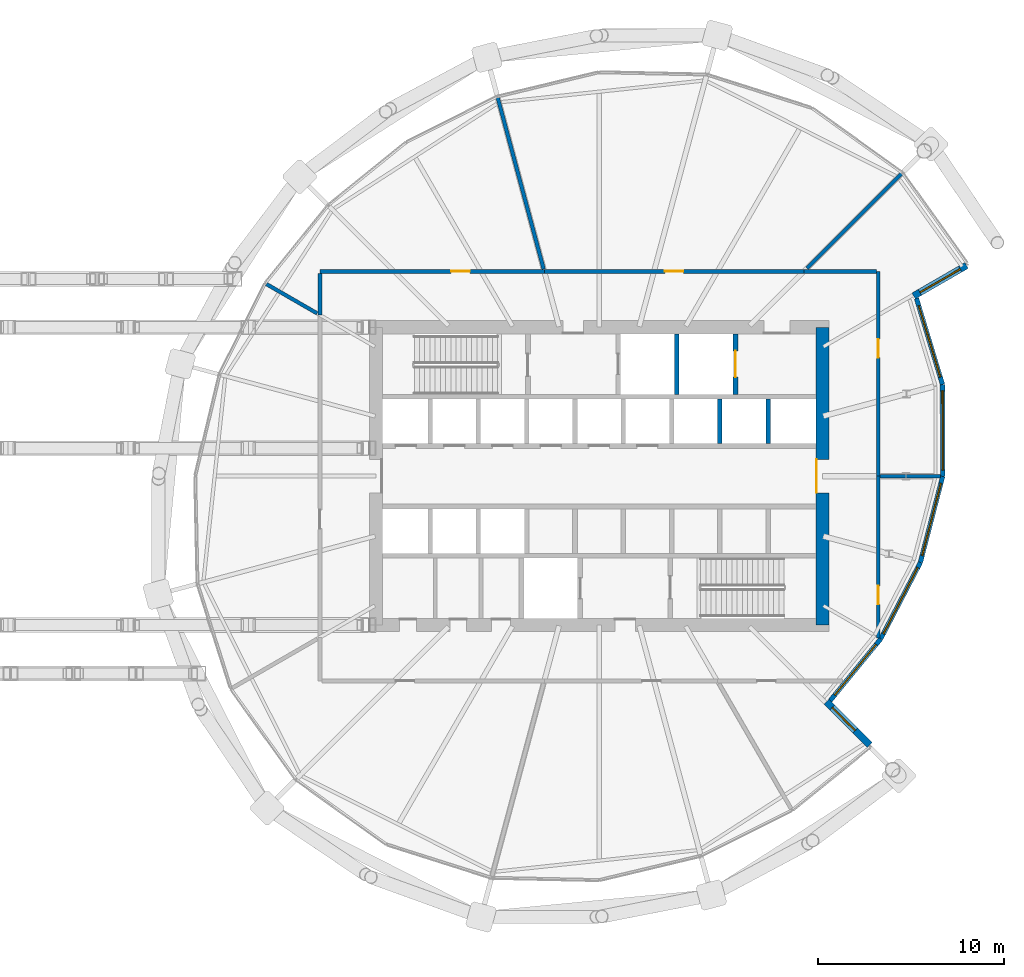
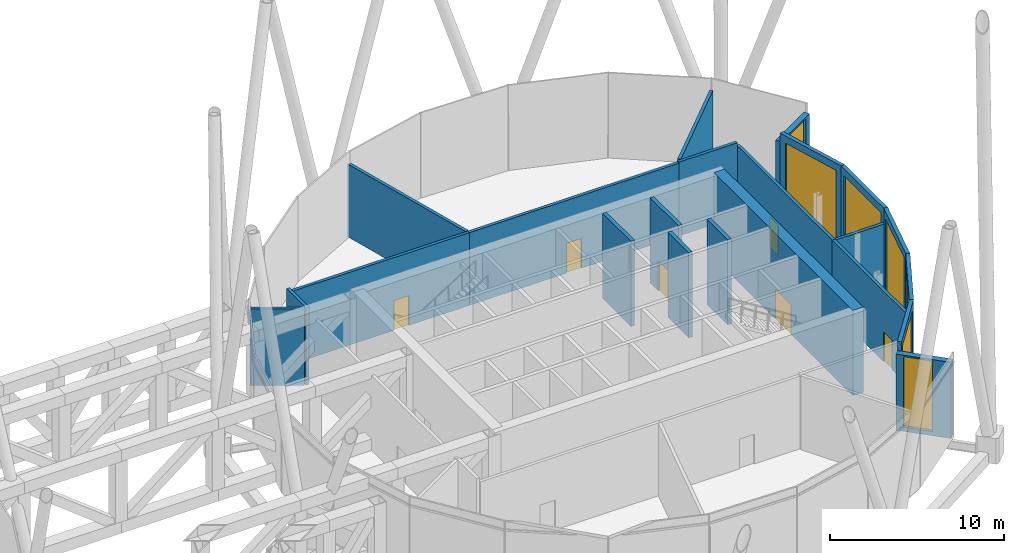
# One storey, part 35 of 39: 22 walls, 7 windows, 6 doors, 13 openings.
"""IFC4 building model written with IfcOpenShell, lengths in metres."""

from ifc_helpers import new_model, si_unit, direction, frame, frame_2d, origin, place, context, subcontext, project, spatial, rectangle, extrude, material, layer, layer_set, type_object, element, fill, save


model = new_model("IFC4")

# Units and contexts
model_context = context("Model", 3, precision=1e-05, world=origin(), true_north=direction((0.0, 1.0)))
body_context = subcontext(model_context, "Body", "Model", "MODEL_VIEW")
ifc_project = project(units=[si_unit("LENGTHUNIT", "METRE"), si_unit("AREAUNIT", "SQUARE_METRE"), si_unit("VOLUMEUNIT", "CUBIC_METRE"), si_unit("PLANEANGLEUNIT", "RADIAN"), si_unit("MASSUNIT", "GRAM", prefix="KILO")], contexts=[model_context])

# Site, building, storey
site_placement = place(None, origin())
site = spatial("IfcSite", under=ifc_project, at=site_placement, CompositionType="ELEMENT")
building_placement = place(site_placement, origin())
building = spatial("IfcBuilding", under=site, at=building_placement, Name="Rimbun Link Towers", CompositionType="ELEMENT")
storey_placement = place(building_placement, frame((0.0, 0.0, 127.199951171875)))
storey = spatial("IfcBuildingStorey", under=building, at=storey_placement, Name="L31", CompositionType="ELEMENT", Elevation=127.199951171875)

# Wall, opening, window
ifc_material_1 = material(Name="Dark enamelled glass spandrel on insulated aluminium backpan", Category="aluminium")
ifc_layer_1 = layer(ifc_material_1, 0.25)
ifc_layer_set_1 = layer_set([ifc_layer_1], Name="CS dark enamelled spandrel wall 250")
wall_type_1 = type_object("IfcWallType", Name="CS dark enamelled spandrel wall 250", PredefinedType="STANDARD", material=ifc_layer_set_1)
wall_1_placement = place(storey_placement, frame((46.87646484375, -8.74169921875, 0.0), z_axis=(0.0, 0.0, 1.0), x_axis=(-0.633002023373, -0.774150139447, 0.0)))
wall_1 = element("IfcWall", 1, at=wall_1_placement, inside=storey, type_object=wall_type_1, Name="Crease spandrel wall", PredefinedType="STANDARD", context=body_context, shape_type="SweptSolid", body=[
    extrude(rectangle(XDim=4.2861328125, YDim=0.25, at=frame_2d((2.14306640625, 0.0))), origin(), (0.0, 0.0, 1.0), 6.0),
])
opening_1_placement = place(wall_1_placement, frame((0.39306640625, 0.0, 0.300048828125)))
opening_1 = element("IfcOpeningElement", 2, at=opening_1_placement, cuts=wall_1, Name="Opening WR35H520", PredefinedType="OPENING", context=body_context, shape_type="SweptSolid", body=[
    extrude(rectangle(XDim=3.5, YDim=5.199951171875, at=frame_2d((1.75, 2.60009765625))), frame((0.0, 0.135009765625, 0.0), z_axis=(0.0, -1.0, 0.0), x_axis=(1.0, 0.0, 0.0)), (0.0, 0.0, 1.0), 0.27001953125),
])
ifc_material_2 = material(Name="Aluminium framed fixed window, dark tinted low-e glass", Category="aluminium")
window_type_1 = type_object("IfcWindowType", Name="WR ribbon window 3500X5200", PartitioningType="SINGLE_PANEL", PredefinedType="WINDOW", material=ifc_material_2)
window_1_placement = place(opening_1_placement, origin())
window_1 = element("IfcWindow", 3, at=window_1_placement, inside=storey, type_object=window_type_1, Name="Crease ribbon window", OverallHeight=5.199951171875, OverallWidth=3.5, PartitioningType="SINGLE_PANEL", PredefinedType="WINDOW", context=body_context, shape_type="SweptSolid", body=[
    extrude(rectangle(XDim=3.5, YDim=5.199951171875, at=frame_2d((1.75, 2.60009765625))), frame((0.0, 0.030029296875, 0.0), z_axis=(0.0, -1.0, 0.0), x_axis=(1.0, 0.0, 0.0)), (0.0, 0.0, 1.0), 0.06005859375),
])
fill(opening_1, window_1)

wall_2_placement = place(storey_placement, frame((49.0078125, -4.6376953125, 0.0), z_axis=(0.0, 0.0, 1.0), x_axis=(-0.460887239295, -0.88745870476, 0.0)))
wall_2 = element("IfcWall", 4, at=wall_2_placement, inside=storey, type_object=wall_type_1, Name="Crease spandrel wall", PredefinedType="STANDARD", context=body_context, shape_type="SweptSolid", body=[
    extrude(rectangle(XDim=4.62451171875, YDim=0.25, at=frame_2d((2.312255859375, 0.0))), origin(), (0.0, 0.0, 1.0), 6.0),
])
opening_2_placement = place(wall_2_placement, frame((0.312255859375, 0.0, 0.300048828125)))
opening_2 = element("IfcOpeningElement", 5, at=opening_2_placement, cuts=wall_2, Name="Opening WR40H520", PredefinedType="OPENING", context=body_context, shape_type="SweptSolid", body=[
    extrude(rectangle(XDim=4.0, YDim=5.199951171875, at=frame_2d((2.0, 2.60009765625))), frame((0.0, 0.135009765625, 0.0), z_axis=(0.0, -1.0, 0.0), x_axis=(1.0, 0.0, 0.0)), (0.0, 0.0, 1.0), 0.27001953125),
])
ifc_material_3 = material(Name="Aluminium framed fixed window, dark tinted low-e glass", Category="aluminium")
window_type_2 = type_object("IfcWindowType", Name="WR ribbon window 4000X5200", PartitioningType="SINGLE_PANEL", PredefinedType="WINDOW", material=ifc_material_3)
window_2_placement = place(opening_2_placement, origin())
window_2 = element("IfcWindow", 6, at=window_2_placement, inside=storey, type_object=window_type_2, Name="Crease ribbon window", OverallHeight=5.199951171875, OverallWidth=4.0, PartitioningType="SINGLE_PANEL", PredefinedType="WINDOW", context=body_context, shape_type="SweptSolid", body=[
    extrude(rectangle(XDim=4.0, YDim=5.199951171875, at=frame_2d((2.0, 2.60009765625))), frame((0.0, 0.030029296875, 0.0), z_axis=(0.0, -1.0, 0.0), x_axis=(1.0, 0.0, 0.0)), (0.0, 0.0, 1.0), 0.06005859375),
])
fill(opening_2, window_2)

wall_3_placement = place(storey_placement, frame((50.20556640625, -0.015869140625, 0.0), z_axis=(0.0, 0.0, 1.0), x_axis=(-0.25086455553, -0.968022197462, 0.0)))
wall_3 = element("IfcWall", 7, at=wall_3_placement, inside=storey, type_object=wall_type_1, Name="Crease spandrel wall", PredefinedType="STANDARD", context=body_context, shape_type="SweptSolid", body=[
    extrude(rectangle(XDim=4.7744140625, YDim=0.25, at=frame_2d((2.38720703125, 0.0))), origin(), (0.0, 0.0, 1.0), 6.0),
])
opening_3_placement = place(wall_3_placement, frame((0.38720703125, 0.0, 0.300048828125)))
opening_3 = element("IfcOpeningElement", 8, at=opening_3_placement, cuts=wall_3, Name="Opening WR40H520", PredefinedType="OPENING", context=body_context, shape_type="SweptSolid", body=[
    extrude(rectangle(XDim=4.0, YDim=5.199951171875, at=frame_2d((2.0, 2.60009765625))), frame((0.0, 0.135009765625, 0.0), z_axis=(0.0, -1.0, 0.0), x_axis=(1.0, 0.0, 0.0)), (0.0, 0.0, 1.0), 0.27001953125),
])
window_3_placement = place(opening_3_placement, origin())
window_3 = element("IfcWindow", 9, at=window_3_placement, inside=storey, type_object=window_type_2, Name="Crease ribbon window", OverallHeight=5.199951171875, OverallWidth=4.0, PartitioningType="SINGLE_PANEL", PredefinedType="WINDOW", context=body_context, shape_type="SweptSolid", body=[
    extrude(rectangle(XDim=4.0, YDim=5.199951171875, at=frame_2d((2.0, 2.60009765625))), frame((0.0, 0.030029296875, 0.0), z_axis=(0.0, -1.0, 0.0), x_axis=(1.0, 0.0, 0.0)), (0.0, 0.0, 1.0), 0.06005859375),
])
fill(opening_3, window_3)

wall_4_placement = place(storey_placement, frame((50.196533203125, 4.927978515625, 0.0), z_axis=(0.0, 0.0, 1.0), x_axis=(0.001827157444, -0.999998330746, 0.0)))
wall_4 = element("IfcWall", 10, at=wall_4_placement, inside=storey, type_object=wall_type_1, Name="Crease spandrel wall", PredefinedType="STANDARD", context=body_context, shape_type="SweptSolid", body=[
    extrude(rectangle(XDim=4.94384765625, YDim=0.25, at=frame_2d((2.471923828125, 0.0))), origin(), (0.0, 0.0, 1.0), 6.0),
])
opening_4_placement = place(wall_4_placement, frame((0.346923828125, 0.0, 0.300048828125)))
opening_4 = element("IfcOpeningElement", 11, at=opening_4_placement, cuts=wall_4, Name="Opening WR42H520", PredefinedType="OPENING", context=body_context, shape_type="SweptSolid", body=[
    extrude(rectangle(XDim=4.25, YDim=5.199951171875, at=frame_2d((2.125, 2.60009765625))), frame((0.0, 0.135009765625, 0.0), z_axis=(0.0, -1.0, 0.0), x_axis=(1.0, 0.0, 0.0)), (0.0, 0.0, 1.0), 0.27001953125),
])
ifc_material_4 = material(Name="Aluminium framed fixed window, dark tinted low-e glass", Category="aluminium")
window_type_3 = type_object("IfcWindowType", Name="WR ribbon window 4250X5200", PartitioningType="SINGLE_PANEL", PredefinedType="WINDOW", material=ifc_material_4)
window_4_placement = place(opening_4_placement, origin())
window_4 = element("IfcWindow", 12, at=window_4_placement, inside=storey, type_object=window_type_3, Name="Crease ribbon window", OverallHeight=5.199951171875, OverallWidth=4.25, PartitioningType="SINGLE_PANEL", PredefinedType="WINDOW", context=body_context, shape_type="SweptSolid", body=[
    extrude(rectangle(XDim=4.25, YDim=5.199951171875, at=frame_2d((2.125, 2.60009765625))), frame((0.0, 0.030029296875, 0.0), z_axis=(0.0, -1.0, 0.0), x_axis=(1.0, 0.0, 0.0)), (0.0, 0.0, 1.0), 0.06005859375),
])
fill(opening_4, window_4)

wall_5_placement = place(storey_placement, frame((48.798583984375, 9.554443359375, 0.0), z_axis=(0.0, 0.0, 1.0), x_axis=(0.289247415988, -0.957254371807, 0.0)))
wall_5 = element("IfcWall", 13, at=wall_5_placement, inside=storey, type_object=wall_type_1, Name="Crease spandrel wall", PredefinedType="STANDARD", context=body_context, shape_type="SweptSolid", body=[
    extrude(rectangle(XDim=4.8330078125, YDim=0.25, at=frame_2d((2.41650390625, 0.0))), origin(), (0.0, 0.0, 1.0), 6.0),
])
opening_5_placement = place(wall_5_placement, frame((0.41650390625, 0.0, 0.300048828125)))
opening_5 = element("IfcOpeningElement", 14, at=opening_5_placement, cuts=wall_5, Name="Opening WR40H520", PredefinedType="OPENING", context=body_context, shape_type="SweptSolid", body=[
    extrude(rectangle(XDim=4.0, YDim=5.199951171875, at=frame_2d((2.0, 2.60009765625))), frame((0.0, 0.135009765625, 0.0), z_axis=(0.0, -1.0, 0.0), x_axis=(1.0, 0.0, 0.0)), (0.0, 0.0, 1.0), 0.27001953125),
])
window_5_placement = place(opening_5_placement, origin())
window_5 = element("IfcWindow", 15, at=window_5_placement, inside=storey, type_object=window_type_2, Name="Crease ribbon window", OverallHeight=5.199951171875, OverallWidth=4.0, PartitioningType="SINGLE_PANEL", PredefinedType="WINDOW", context=body_context, shape_type="SweptSolid", body=[
    extrude(rectangle(XDim=4.0, YDim=5.199951171875, at=frame_2d((2.0, 2.60009765625))), frame((0.0, 0.030029296875, 0.0), z_axis=(0.0, -1.0, 0.0), x_axis=(1.0, 0.0, 0.0)), (0.0, 0.0, 1.0), 0.06005859375),
])
fill(opening_5, window_5)

ifc_material_5 = material(Name="Dark enamelled glass spandrel on insulated aluminium backpan", Category="aluminium")
ifc_layer_2 = layer(ifc_material_5, 0.3701171875)
ifc_layer_set_2 = layer_set([ifc_layer_2], Name="CS dark enamelled spandrel wall 370")
wall_type_2 = type_object("IfcWallType", Name="CS dark enamelled spandrel wall 370", PredefinedType="STANDARD", material=ifc_layer_set_2)
wall_6_placement = place(storey_placement, frame((43.96142578125, -12.11962890625, 0.0), z_axis=(0.0, 0.0, 1.0), x_axis=(0.707143998312, -0.707069562102, 0.0)))
wall_6 = element("IfcWall", 16, at=wall_6_placement, inside=storey, type_object=wall_type_2, Name="Crease spandrel wall", PredefinedType="STANDARD", context=body_context, shape_type="SweptSolid", body=[
    extrude(rectangle(XDim=3.27978515625, YDim=0.3701171875, at=frame_2d((1.639892578125, 0.0))), origin(), (0.0, 0.0, 1.0), 5.356689453125),
])
opening_6_placement = place(wall_6_placement, frame((0.430908203125, 0.0, 0.300048828125)))
opening_6 = element("IfcOpeningElement", 17, at=opening_6_placement, cuts=wall_6, Name="Opening WR18H495", PredefinedType="OPENING", context=body_context, shape_type="SweptSolid", body=[
    extrude(rectangle(XDim=1.75, YDim=4.949951171875, at=frame_2d((0.875, 2.47509765625))), frame((0.0, 0.195068359375, 0.0), z_axis=(0.0, -1.0, 0.0), x_axis=(1.0, 0.0, 0.0)), (0.0, 0.0, 1.0), 0.39013671875),
])
ifc_material_6 = material(Name="Aluminium framed fixed window, dark tinted low-e glass", Category="aluminium")
window_type_4 = type_object("IfcWindowType", Name="WR ribbon window 1750X4950", PartitioningType="SINGLE_PANEL", PredefinedType="WINDOW", material=ifc_material_6)
window_6_placement = place(opening_6_placement, origin())
window_6 = element("IfcWindow", 18, at=window_6_placement, inside=storey, type_object=window_type_4, Name="Crease ribbon window", OverallHeight=4.949951171875, OverallWidth=1.75, PartitioningType="SINGLE_PANEL", PredefinedType="WINDOW", context=body_context, shape_type="SweptSolid", body=[
    extrude(rectangle(XDim=1.75, YDim=4.949951171875, at=frame_2d((0.875, 2.47509765625))), frame((0.0, 0.030029296875, 0.0), z_axis=(0.0, -1.0, 0.0), x_axis=(1.0, 0.0, 0.0)), (0.0, 0.0, 1.0), 0.06005859375),
])
fill(opening_6, window_6)

wall_7_placement = place(storey_placement, frame((51.486083984375, 11.31982421875, 0.0), z_axis=(0.0, 0.0, 1.0), x_axis=(-0.86598972202, -0.500061797536, 0.0)))
wall_7 = element("IfcWall", 19, at=wall_7_placement, inside=storey, type_object=wall_type_2, Name="Crease spandrel wall", PredefinedType="STANDARD", context=body_context, shape_type="SweptSolid", body=[
    extrude(rectangle(XDim=3.27978515625, YDim=0.3701171875, at=frame_2d((1.639892578125, 0.0))), origin(), (0.0, 0.0, 1.0), 5.356689453125),
])
opening_7_placement = place(wall_7_placement, frame((0.389892578125, 0.0, 0.300048828125)))
opening_7 = element("IfcOpeningElement", 20, at=opening_7_placement, cuts=wall_7, Name="Opening WR25H495", PredefinedType="OPENING", context=body_context, shape_type="SweptSolid", body=[
    extrude(rectangle(XDim=2.5, YDim=4.949951171875, at=frame_2d((1.25, 2.47509765625))), frame((0.0, 0.195068359375, 0.0), z_axis=(0.0, -1.0, 0.0), x_axis=(1.0, 0.0, 0.0)), (0.0, 0.0, 1.0), 0.39013671875),
])
ifc_material_7 = material(Name="Aluminium framed fixed window, dark tinted low-e glass", Category="aluminium")
window_type_5 = type_object("IfcWindowType", Name="WR ribbon window 2500X4950", PartitioningType="SINGLE_PANEL", PredefinedType="WINDOW", material=ifc_material_7)
window_7_placement = place(opening_7_placement, origin())
window_7 = element("IfcWindow", 21, at=window_7_placement, inside=storey, type_object=window_type_5, Name="Crease ribbon window", OverallHeight=4.949951171875, OverallWidth=2.5, PartitioningType="SINGLE_PANEL", PredefinedType="WINDOW", context=body_context, shape_type="SweptSolid", body=[
    extrude(rectangle(XDim=2.5, YDim=4.949951171875, at=frame_2d((1.25, 2.47509765625))), frame((0.0, 0.030029296875, 0.0), z_axis=(0.0, -1.0, 0.0), x_axis=(1.0, 0.0, 0.0)), (0.0, 0.0, 1.0), 0.06005859375),
])
fill(opening_7, window_7)

# Wall, opening, door
ifc_material_8 = material(Name="Concrete C60/75", Category="concrete")
ifc_layer_3 = layer(ifc_material_8, 0.699951171875)
ifc_layer_set_3 = layer_set([ifc_layer_3], Name="Core shear wall 700")
wall_type_3 = type_object("IfcWallType", Name="Core shear wall 700", PredefinedType="SHEAR", material=ifc_layer_set_3)
wall_8_placement = place(storey_placement, frame((43.75, -8.0, 0.0), z_axis=(0.0, 0.0, 1.0), x_axis=(0.0, 1.0, 0.0)))
wall_8 = element("IfcWall", 22, at=wall_8_placement, inside=storey, type_object=wall_type_3, Name="L31 T2 core wall E", PredefinedType="SHEAR", context=body_context, shape_type="SweptSolid", body=[
    extrude(rectangle(XDim=16.0, YDim=0.699951171875, at=frame_2d((8.0, 0.0))), origin(), (0.0, 0.0, 1.0), 6.0),
])
opening_8_placement = place(wall_8_placement, frame((7.10009765625, 0.0, 0.0)))
opening_8 = element("IfcOpeningElement", 23, at=opening_8_placement, cuts=wall_8, Name="Opening C2DCL01E", PredefinedType="OPENING", context=body_context, shape_type="SweptSolid", body=[
    extrude(rectangle(XDim=1.800048828125, YDim=2.10009765625, at=frame_2d((0.89990234375, 1.050048828125))), frame((0.0, 0.35986328125, 0.0), z_axis=(0.0, -1.0, 0.0), x_axis=(1.0, 0.0, 0.0)), (0.0, 0.0, 1.0), 0.719970703125),
])
ifc_material_9 = material(Name="Steel fire door set", Category="steel")
door_type_1 = type_object("IfcDoorType", Name="Core lobby door double", OperationType="DOUBLE_DOOR_SINGLE_SWING", PredefinedType="DOOR", material=ifc_material_9)
door_1_placement = place(opening_8_placement, origin())
door_1 = element("IfcDoor", 24, at=door_1_placement, inside=storey, type_object=door_type_1, Name="L31 T2 lift lobby door", OperationType="DOUBLE_DOOR_SINGLE_SWING", OverallHeight=2.10009765625, OverallWidth=1.800048828125, PredefinedType="DOOR", context=body_context, shape_type="SweptSolid", body=[
    extrude(rectangle(XDim=1.800048828125, YDim=2.10009765625, at=frame_2d((0.89990234375, 1.050048828125))), frame((0.0, 0.35009765625, 0.0), z_axis=(0.0, -1.0, 0.0), x_axis=(1.0, 0.0, 0.0)), (0.0, 0.0, 1.0), 0.050048828125),
])
fill(opening_8, door_1)

ifc_material_10 = material(Name="Concrete blockwork", Category="masonry")
ifc_layer_4 = layer(ifc_material_10, 0.199951171875)
ifc_layer_set_4 = layer_set([ifc_layer_4], Name="Fire partition 200 blockwork")
wall_type_4 = type_object("IfcWallType", Name="Fire partition 200 blockwork", PredefinedType="PARTITIONING", material=ifc_layer_set_4)
wall_9_placement = place(storey_placement, frame((46.75, -8.698974609375, 0.0), z_axis=(0.0, 0.0, 1.0), x_axis=(0.0, 1.0, 0.0)))
wall_9 = element("IfcWall", 25, at=wall_9_placement, inside=storey, type_object=wall_type_4, Name="TW/PW/L31/021", PredefinedType="PARTITIONING", context=body_context, shape_type="SweptSolid", body=[
    extrude(rectangle(XDim=8.698974609375, YDim=0.199951171875, at=frame_2d((4.349609375, 0.0))), origin(), (0.0, 0.0, 1.0), 4.958984375),
])
opening_9_placement = place(wall_9_placement, frame((1.81005859375, 0.0, 0.0)))
opening_9 = element("IfcOpeningElement", 26, at=opening_9_placement, cuts=wall_9, Name="Opening TW D31.10", PredefinedType="OPENING", context=body_context, shape_type="SweptSolid", body=[
    extrude(rectangle(XDim=1.0, YDim=2.10009765625, at=frame_2d((0.5, 1.050048828125))), frame((0.0, 0.10986328125, 0.0), z_axis=(0.0, -1.0, 0.0), x_axis=(1.0, 0.0, 0.0)), (0.0, 0.0, 1.0), 0.219970703125),
])
ifc_material_11 = material(Name="Steel fire door set", Category="steel")
door_type_2 = type_object("IfcDoorType", Name="Fire door single leaf 1000 x 2100", OperationType="NOTDEFINED", PredefinedType="DOOR", material=ifc_material_11)
door_2_placement = place(opening_9_placement, origin())
door_2 = element("IfcDoor", 27, at=door_2_placement, inside=storey, type_object=door_type_2, Name="TW/DR/L31/010", OperationType="SINGLE_SWING_LEFT", OverallHeight=2.10009765625, OverallWidth=1.0, PredefinedType="DOOR", context=body_context, shape_type="SweptSolid", body=[
    extrude(rectangle(XDim=1.0, YDim=2.10009765625, at=frame_2d((0.5, 1.050048828125))), frame((0.0, 0.02490234375, 0.0), z_axis=(0.0, -1.0, 0.0), x_axis=(1.0, 0.0, 0.0)), (0.0, 0.0, 1.0), 0.050048828125),
])
fill(opening_9, door_2)

wall_10_placement = place(storey_placement, frame((46.75, 0.0, 0.0), z_axis=(0.0, 0.0, 1.0), x_axis=(0.0, 1.0, 0.0)))
wall_10 = element("IfcWall", 28, at=wall_10_placement, inside=storey, type_object=wall_type_4, Name="TW/PW/L31/023", PredefinedType="PARTITIONING", context=body_context, shape_type="SweptSolid", body=[
    extrude(rectangle(XDim=11.0, YDim=0.199951171875, at=frame_2d((5.5, 0.0))), origin(), (0.0, 0.0, 1.0), 4.958984375),
])
opening_10_placement = place(wall_10_placement, frame((6.364990234375, 0.0, 0.0)))
opening_10 = element("IfcOpeningElement", 29, at=opening_10_placement, cuts=wall_10, Name="Opening TW D31.12", PredefinedType="OPENING", context=body_context, shape_type="SweptSolid", body=[
    extrude(rectangle(XDim=1.0, YDim=2.10009765625, at=frame_2d((0.5, 1.050048828125))), frame((0.0, 0.10986328125, 0.0), z_axis=(0.0, -1.0, 0.0), x_axis=(1.0, 0.0, 0.0)), (0.0, 0.0, 1.0), 0.219970703125),
])
door_3_placement = place(opening_10_placement, origin())
door_3 = element("IfcDoor", 30, at=door_3_placement, inside=storey, type_object=door_type_2, Name="TW/DR/L31/012", OperationType="SINGLE_SWING_LEFT", OverallHeight=2.10009765625, OverallWidth=1.0, PredefinedType="DOOR", context=body_context, shape_type="SweptSolid", body=[
    extrude(rectangle(XDim=1.0, YDim=2.10009765625, at=frame_2d((0.5, 1.050048828125))), frame((0.0, 0.02490234375, 0.0), z_axis=(0.0, -1.0, 0.0), x_axis=(1.0, 0.0, 0.0)), (0.0, 0.0, 1.0), 0.050048828125),
])
fill(opening_10, door_3)

# Wall
wall_11_placement = place(storey_placement, frame((46.64990234375, 11.0, 0.0), z_axis=(0.0, 0.0, 1.0), x_axis=(-1.0, 0.0, 0.0)))
element("IfcWall", 31, at=wall_11_placement, inside=storey, type_object=wall_type_4, Name="TW/PW/L31/024", PredefinedType="PARTITIONING", context=body_context, shape_type="SweptSolid", body=[
    extrude(rectangle(XDim=3.89990234375, YDim=0.199951171875, at=frame_2d((1.949951171875, 0.0))), origin(), (0.0, 0.0, 1.0), 5.197021484375),
])

# Wall, opening, door
wall_12_placement = place(storey_placement, frame((42.75, 11.0, 0.0), z_axis=(0.0, 0.0, 1.0), x_axis=(-1.0, 0.0, 0.0)))
wall_12 = element("IfcWall", 32, at=wall_12_placement, inside=storey, type_object=wall_type_4, Name="TW/PW/L31/025", PredefinedType="PARTITIONING", context=body_context, shape_type="SweptSolid", body=[
    extrude(rectangle(XDim=13.947509765625, YDim=0.199951171875, at=frame_2d((6.9736328125, 0.0))), origin(), (0.0, 0.0, 1.0), 5.115966796875),
])
opening_11_placement = place(wall_12_placement, frame((6.47412109375, 0.0, 0.0)))
opening_11 = element("IfcOpeningElement", 33, at=opening_11_placement, cuts=wall_12, Name="Opening TW D31.13", PredefinedType="OPENING", context=body_context, shape_type="SweptSolid", body=[
    extrude(rectangle(XDim=1.0, YDim=2.10009765625, at=frame_2d((0.5, 1.050048828125))), frame((0.0, 0.10986328125, 0.0), z_axis=(0.0, -1.0, 0.0), x_axis=(1.0, 0.0, 0.0)), (0.0, 0.0, 1.0), 0.219970703125),
])
door_4_placement = place(opening_11_placement, origin())
door_4 = element("IfcDoor", 34, at=door_4_placement, inside=storey, type_object=door_type_2, Name="TW/DR/L31/013", OperationType="SINGLE_SWING_RIGHT", OverallHeight=2.10009765625, OverallWidth=1.0, PredefinedType="DOOR", context=body_context, shape_type="SweptSolid", body=[
    extrude(rectangle(XDim=1.0, YDim=2.10009765625, at=frame_2d((0.5, 1.050048828125))), frame((0.0, 0.02490234375, 0.0), z_axis=(0.0, -1.0, 0.0), x_axis=(1.0, 0.0, 0.0)), (0.0, 0.0, 1.0), 0.050048828125),
])
fill(opening_11, door_4)

wall_13_placement = place(storey_placement, frame((28.802490234375, 11.0, 0.0), z_axis=(0.0, 0.0, 1.0), x_axis=(-1.0, 0.0, 0.0)))
wall_13 = element("IfcWall", 35, at=wall_13_placement, inside=storey, type_object=wall_type_4, Name="TW/PW/L31/026", PredefinedType="PARTITIONING", context=body_context, shape_type="SweptSolid", body=[
    extrude(rectangle(XDim=12.052490234375, YDim=0.199951171875, at=frame_2d((6.0263671875, 0.0))), origin(), (0.0, 0.0, 1.0), 5.115966796875),
])
opening_12_placement = place(wall_13_placement, frame((4.0029296875, 0.0, 0.0)))
opening_12 = element("IfcOpeningElement", 36, at=opening_12_placement, cuts=wall_13, Name="Opening TW D31.14", PredefinedType="OPENING", context=body_context, shape_type="SweptSolid", body=[
    extrude(rectangle(XDim=1.0, YDim=2.10009765625, at=frame_2d((0.5, 1.050048828125))), frame((0.0, 0.10986328125, 0.0), z_axis=(0.0, -1.0, 0.0), x_axis=(1.0, 0.0, 0.0)), (0.0, 0.0, 1.0), 0.219970703125),
])
door_5_placement = place(opening_12_placement, origin())
door_5 = element("IfcDoor", 37, at=door_5_placement, inside=storey, type_object=door_type_2, Name="TW/DR/L31/014", OperationType="SINGLE_SWING_LEFT", OverallHeight=2.10009765625, OverallWidth=1.0, PredefinedType="DOOR", context=body_context, shape_type="SweptSolid", body=[
    extrude(rectangle(XDim=1.0, YDim=2.10009765625, at=frame_2d((0.5, 1.050048828125))), frame((0.0, 0.02490234375, 0.0), z_axis=(0.0, -1.0, 0.0), x_axis=(1.0, 0.0, 0.0)), (0.0, 0.0, 1.0), 0.050048828125),
])
fill(opening_12, door_5)

# Walls
wall_14_placement = place(storey_placement, frame((16.75, 10.89990234375, 0.0), z_axis=(0.0, 0.0, 1.0), x_axis=(0.0, -1.0, 0.0)))
element("IfcWall", 38, at=wall_14_placement, inside=storey, type_object=wall_type_4, Name="TW/PW/L31/027", PredefinedType="PARTITIONING", context=body_context, shape_type="SweptSolid", body=[
    extrude(rectangle(XDim=2.239501953125, YDim=0.199951171875, at=frame_2d((1.11962890625, 0.0))), origin(), (0.0, 0.0, 1.0), 5.445068359375),
])
wall_15_placement = place(storey_placement, frame((50.08056640625, 0.0, 0.0), z_axis=(0.0, 0.0, 1.0), x_axis=(-1.0, 0.0, 0.0)))
element("IfcWall", 39, at=wall_15_placement, inside=storey, type_object=wall_type_4, Name="TW/PW/L31/032", PredefinedType="PARTITIONING", context=body_context, shape_type="SweptSolid", body=[
    extrude(rectangle(XDim=3.23046875, YDim=0.199951171875, at=frame_2d((1.615234375, 0.0))), origin(), (0.0, 0.0, 1.0), 4.958984375),
])
wall_16_placement = place(storey_placement, frame((47.98876953125, 16.23876953125, 0.0), z_axis=(0.0, 0.0, 1.0), x_axis=(-0.707106781187, -0.707106781187, 0.0)))
element("IfcWall", 40, at=wall_16_placement, inside=storey, type_object=wall_type_4, Name="TW/PW/L31/033", PredefinedType="PARTITIONING", context=body_context, shape_type="SweptSolid", body=[
    extrude(rectangle(XDim=7.16748046875, YDim=0.199951171875, at=frame_2d((3.583740234375, 0.0))), origin(), (0.0, 0.0, 1.0), 5.197021484375),
])
wall_17_placement = place(storey_placement, frame((26.282470703125, 20.4052734375, 0.0), z_axis=(0.0, 0.0, 1.0), x_axis=(0.258813996805, -0.965927178962, 0.0)))
element("IfcWall", 41, at=wall_17_placement, inside=storey, type_object=wall_type_4, Name="TW/PW/L31/034", PredefinedType="PARTITIONING", context=body_context, shape_type="SweptSolid", body=[
    extrude(rectangle(XDim=9.606689453125, YDim=0.199951171875, at=frame_2d((4.80322265625, 0.0))), origin(), (0.0, 0.0, 1.0), 5.115966796875),
])
wall_18_placement = place(storey_placement, frame((13.87060546875, 10.322509765625, 0.0), z_axis=(0.0, 0.0, 1.0), x_axis=(0.866051432336, -0.499954914517, 0.0)))
element("IfcWall", 42, at=wall_18_placement, inside=storey, type_object=wall_type_4, Name="TW/PW/L31/035", PredefinedType="PARTITIONING", context=body_context, shape_type="SweptSolid", body=[
    extrude(rectangle(XDim=3.151611328125, YDim=0.199951171875, at=frame_2d((1.57568359375, 0.0))), origin(), (0.0, 0.0, 1.0), 5.39404296875),
])
ifc_material_12 = material(Name="Concrete C60/75", Category="concrete")
ifc_layer_5 = layer(ifc_material_12, 0.25)
ifc_layer_set_5 = layer_set([ifc_layer_5], Name="Shaft wall 250")
wall_type_5 = type_object("IfcWallType", Name="Shaft wall 250", PredefinedType="SHEAR", material=ifc_layer_set_5)
for number, where, z_axis, x_axis, name in (
    (43, (38.236083984375, 1.75, 0.0), (0.0, 0.0, 1.0), (0.0, 1.0, 0.0), "L31 T2 core wall DN6"),
    (44, (40.83056640625, 1.75, 0.0), (0.0, 0.0, 1.0), (0.0, 1.0, 0.0), "L31 T2 core wall DN7"),
):
    element("IfcWall", number, at=place(storey_placement, frame(where, z_axis=z_axis, x_axis=x_axis)), inside=storey, type_object=wall_type_5, Name=name, PredefinedType="SHEAR", context=body_context, shape_type="SweptSolid", body=[
        extrude(rectangle(XDim=2.39990234375, YDim=0.25, at=frame_2d((1.199951171875, 0.0))), origin(), (0.0, 0.0, 1.0), 6.0),
    ])
wall_19_placement = place(storey_placement, frame((35.925048828125, 4.39990234375, 0.0), z_axis=(0.0, 0.0, 1.0), x_axis=(0.0, 1.0, 0.0)))
element("IfcWall", 45, at=wall_19_placement, inside=storey, type_object=wall_type_5, Name="L31 T2 core wall A3", PredefinedType="SHEAR", context=body_context, shape_type="SweptSolid", body=[
    extrude(rectangle(XDim=3.25, YDim=0.25, at=frame_2d((1.625, 0.0))), origin(), (0.0, 0.0, 1.0), 6.0),
])

# Wall, opening, door
wall_20_placement = place(storey_placement, frame((39.074951171875, 4.39990234375, 0.0), z_axis=(0.0, 0.0, 1.0), x_axis=(0.0, 1.0, 0.0)))
wall_20 = element("IfcWall", 46, at=wall_20_placement, inside=storey, type_object=wall_type_5, Name="L31 T2 core wall A4", PredefinedType="SHEAR", context=body_context, shape_type="SweptSolid", body=[
    extrude(rectangle(XDim=3.25, YDim=0.25, at=frame_2d((1.625, 0.0))), origin(), (0.0, 0.0, 1.0), 6.0),
])
opening_13_placement = place(wall_20_placement, frame((0.925048828125, 0.0, 0.0)))
opening_13 = element("IfcOpeningElement", 47, at=opening_13_placement, cuts=wall_20, Name="Opening LD-T2-GL1", PredefinedType="OPENING", context=body_context, shape_type="SweptSolid", body=[
    extrude(rectangle(XDim=1.39990234375, YDim=2.10009765625, at=frame_2d((0.699951171875, 1.050048828125))), frame((0.0, 0.135009765625, 0.0), z_axis=(0.0, -1.0, 0.0), x_axis=(1.0, 0.0, 0.0)), (0.0, 0.0, 1.0), 0.27001953125),
])
ifc_material_13 = material(Name="Stainless steel grade 316", Category="steel")
door_type_3 = type_object("IfcDoorType", Name="Goods lift landing door", OperationType="DOUBLE_DOOR_SLIDING", PredefinedType="DOOR", material=ifc_material_13)
door_6_placement = place(opening_13_placement, origin())
door_6 = element("IfcDoor", 48, at=door_6_placement, inside=storey, type_object=door_type_3, Name="L31 T2 lift GL1 landing door", OperationType="DOUBLE_DOOR_SLIDING", OverallHeight=2.10009765625, OverallWidth=1.39990234375, PredefinedType="DOOR", context=body_context, shape_type="SweptSolid", body=[
    extrude(rectangle(XDim=1.39990234375, YDim=2.10009765625, at=frame_2d((0.699951171875, 1.050048828125))), frame((0.0, 0.02490234375, 0.0), z_axis=(0.0, -1.0, 0.0), x_axis=(1.0, 0.0, 0.0)), (0.0, 0.0, 1.0), 0.050048828125),
])
fill(opening_13, door_6)

save(model, "model.ifc")
